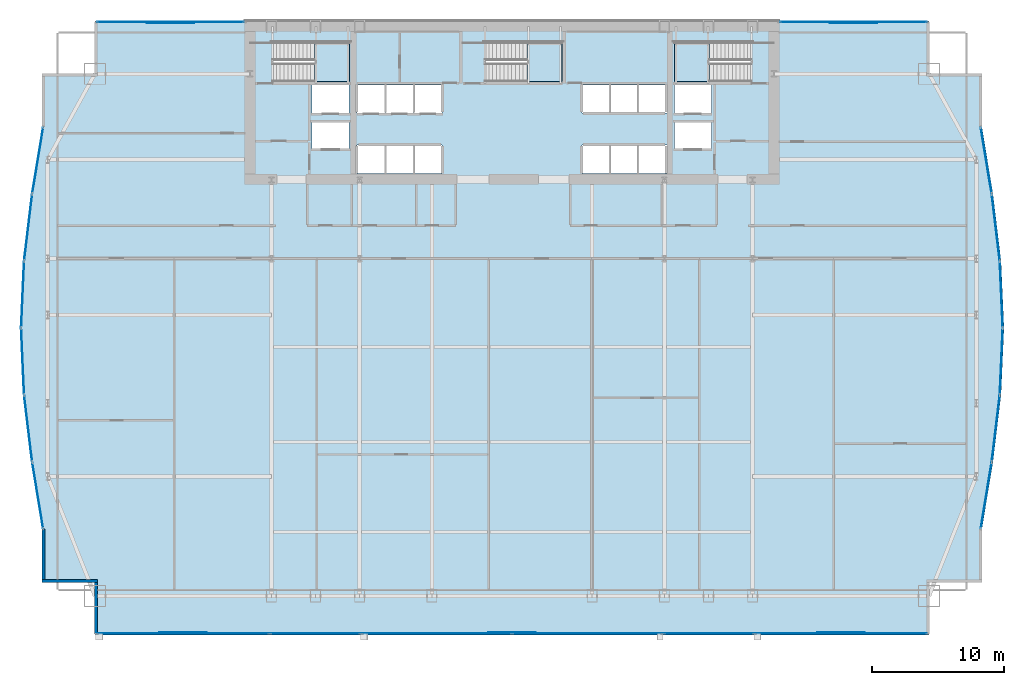
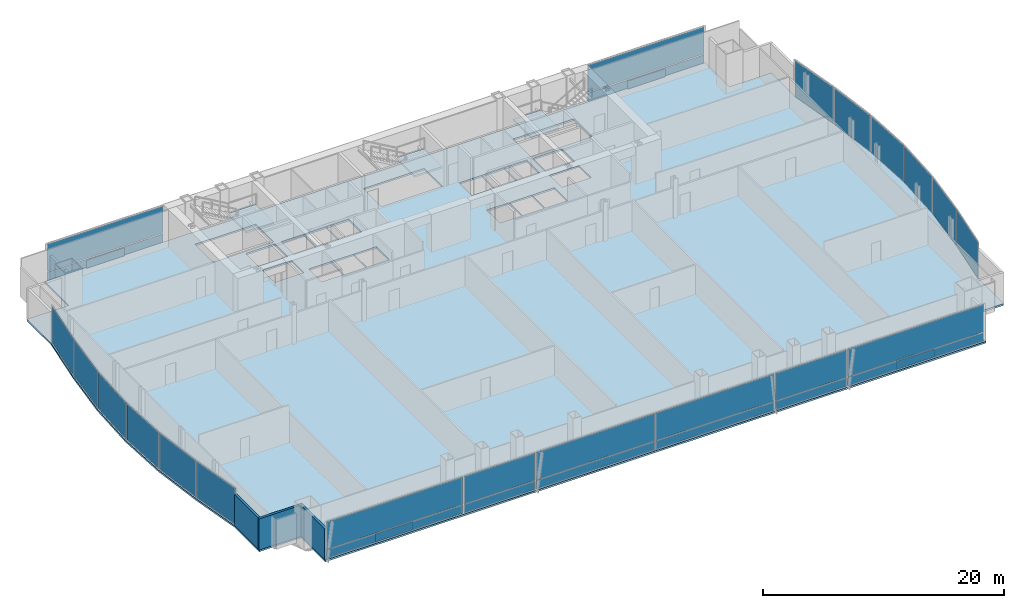
# One storey, part 25 of 32: 33 plates, 4 slabs, 3 walls, 22 elements without a shape of their own.
"""IFC4 building model written with IfcOpenShell, lengths in metres."""

from ifc_helpers import new_model, si_unit, direction, frame, frame_2d, origin, origin_2d, place, context, subcontext, project, spatial, polyline, rectangle, outline, extrude, material, layer, layer_set, type_object, element, aggregate, save


model = new_model("IFC4")

# Units and contexts
model_context = context("Model", 3, precision=1e-05, world=origin(), true_north=direction((0.0, 1.0)))
body_context = subcontext(model_context, "Body", "Model", "MODEL_VIEW")
ifc_project = project(units=[si_unit("LENGTHUNIT", "METRE"), si_unit("AREAUNIT", "SQUARE_METRE"), si_unit("VOLUMEUNIT", "CUBIC_METRE"), si_unit("PLANEANGLEUNIT", "RADIAN"), si_unit("MASSUNIT", "GRAM", prefix="KILO")], contexts=[model_context])

# Site, building, storey
site_placement = place(None, origin())
site = spatial("IfcSite", under=ifc_project, at=site_placement, CompositionType="ELEMENT")
building_placement = place(site_placement, origin())
building = spatial("IfcBuilding", under=site, at=building_placement, Name="Khoronbel Lancet Exchange", CompositionType="ELEMENT")
storey_placement = place(building_placement, frame((0.0, 0.0, 65.800048828125)))
storey = spatial("IfcBuildingStorey", under=building, at=storey_placement, Name="L15", CompositionType="ELEMENT", Elevation=65.800048828125)

# Curtain wall, plate
ifc_material_1 = material(Name="Low-E Solar Control Insulating Glass", Category="glass")
curtain_wall_type_1 = type_object("IfcCurtainWallType", Name="CW-4", PredefinedType="NOTDEFINED", material=ifc_material_1)
curtain_wall_1_placement = place(storey_placement, origin())
curtain_wall_1 = element("IfcCurtainWall", 1, at=curtain_wall_1_placement, inside=storey, type_object=curtain_wall_type_1, Name="Unitised curtain wall CW-L15-E05", PredefinedType="NOTDEFINED")
ifc_material_2 = material(Name="Bronze-Anodised Aluminium 6063-T6", Category="aluminium")
ifc_layer_1 = layer(ifc_material_2, 0.050048828125, Name="Bronze-Anodised Aluminium 6063-T6")
ifc_layer_set_1 = layer_set([ifc_layer_1], Name="Bronze-Anodised Aluminium 6063-T6")
plate_type_1 = type_object("IfcPlateType", Name="PLT-CSP1", PredefinedType="SHEET", material=ifc_layer_set_1)
plate_1_placement = place(storey_placement, frame((-0.205322265625, 22.8349609375, 0.0849609375), z_axis=(0.0, 0.0, 1.0), x_axis=(-0.119805873895, 0.992797337114, 0.0)))
plate_1 = element("IfcPlate", 2, at=plate_1_placement, type_object=plate_type_1, Name="CW4 panel 1.1", PredefinedType="CURTAIN_PANEL", context=body_context, shape_type="SweptSolid", body=[
    extrude(rectangle(XDim=4.96484375, YDim=0.0380859375, at=origin_2d()), origin(), (0.0, 0.0, 1.0), 3.64990234375),
])
aggregate(curtain_wall_1, [plate_1])

curtain_wall_2_placement = place(storey_placement, origin())
curtain_wall_2 = element("IfcCurtainWall", 3, at=curtain_wall_2_placement, inside=storey, type_object=curtain_wall_type_1, Name="Unitised curtain wall CW-L15-E06", PredefinedType="NOTDEFINED")
plate_2_placement = place(storey_placement, frame((-0.623779296875, 27.912109375, 0.0849609375), z_axis=(0.0, 0.0, 1.0), x_axis=(-0.044126483681, 0.999025952335, 0.0)))
plate_2 = element("IfcPlate", 4, at=plate_2_placement, type_object=plate_type_1, Name="CW4 panel 1.1", PredefinedType="CURTAIN_PANEL", context=body_context, shape_type="SweptSolid", body=[
    extrude(rectangle(XDim=4.930908203125, YDim=0.0380859375, at=origin_2d()), origin(), (0.0, 0.0, 1.0), 3.64990234375),
])
aggregate(curtain_wall_2, [plate_2])

curtain_wall_3_placement = place(storey_placement, origin())
curtain_wall_3 = element("IfcCurtainWall", 5, at=curtain_wall_3_placement, inside=storey, type_object=curtain_wall_type_1, Name="Unitised curtain wall CW-L15-E07", PredefinedType="NOTDEFINED")
plate_3_placement = place(storey_placement, frame((-0.623779296875, 32.988037109375, 0.0849609375), z_axis=(0.0, 0.0, 1.0), x_axis=(0.044126483681, 0.999025952335, 0.0)))
plate_3 = element("IfcPlate", 6, at=plate_3_placement, type_object=plate_type_1, Name="CW4 panel 1.1", PredefinedType="CURTAIN_PANEL", context=body_context, shape_type="SweptSolid", body=[
    extrude(rectangle(XDim=4.930908203125, YDim=0.0380859375, at=origin_2d()), origin(), (0.0, 0.0, 1.0), 3.64990234375),
])
aggregate(curtain_wall_3, [plate_3])

curtain_wall_4_placement = place(storey_placement, origin())
curtain_wall_4 = element("IfcCurtainWall", 7, at=curtain_wall_4_placement, inside=storey, type_object=curtain_wall_type_1, Name="Unitised curtain wall CW-L15-E08", PredefinedType="NOTDEFINED")
plate_4_placement = place(storey_placement, frame((-0.205322265625, 38.06494140625, 0.0849609375), z_axis=(0.0, 0.0, 1.0), x_axis=(0.119805873895, 0.992797337114, 0.0)))
plate_4 = element("IfcPlate", 8, at=plate_4_placement, type_object=plate_type_1, Name="CW4 panel 1.1", PredefinedType="CURTAIN_PANEL", context=body_context, shape_type="SweptSolid", body=[
    extrude(rectangle(XDim=4.96484375, YDim=0.0380859375, at=origin_2d()), origin(), (0.0, 0.0, 1.0), 3.64990234375),
])
aggregate(curtain_wall_4, [plate_4])

curtain_wall_type_2 = type_object("IfcCurtainWallType", Name="CW-1", PredefinedType="NOTDEFINED", material=ifc_material_1)
curtain_wall_5_placement = place(storey_placement, origin())
curtain_wall_5 = element("IfcCurtainWall", 9, at=curtain_wall_5_placement, inside=storey, type_object=curtain_wall_type_2, Name="Unitised curtain wall CW-L15-NWFLK", PredefinedType="NOTDEFINED")
plate_5_placement = place(storey_placement, frame((10.580078125, 53.550048828125, 0.0498046875), z_axis=(0.0, 0.0, 1.0), x_axis=(-1.0, 0.0, 0.0)))
plate_5 = element("IfcPlate", 10, at=plate_5_placement, type_object=plate_type_1, Name="Insulated bronze spandrel cassette CW-L15-NWFLK", PredefinedType="SHEET", context=body_context, shape_type="SweptSolid", body=[
    extrude(rectangle(XDim=3.60009765625, YDim=0.050048828125, at=origin_2d()), origin(), (0.0, 0.0, 1.0), 0.800048828125),
])

curtain_wall_6_placement = place(storey_placement, origin())
curtain_wall_6 = element("IfcCurtainWall", 11, at=curtain_wall_6_placement, inside=storey, type_object=curtain_wall_type_2, Name="Unitised curtain wall CW-L15-NEFLK", PredefinedType="NOTDEFINED")
plate_6_placement = place(storey_placement, frame((62.320068359375, 53.550048828125, 0.0498046875), z_axis=(0.0, 0.0, 1.0), x_axis=(-1.0, 0.0, 0.0)))
plate_6 = element("IfcPlate", 12, at=plate_6_placement, type_object=plate_type_1, Name="Insulated bronze spandrel cassette CW-L15-NEFLK", PredefinedType="SHEET", context=body_context, shape_type="SweptSolid", body=[
    extrude(rectangle(XDim=3.60009765625, YDim=0.050048828125, at=origin_2d()), origin(), (0.0, 0.0, 1.0), 0.800048828125),
])

curtain_wall_7_placement = place(storey_placement, origin())
curtain_wall_7 = element("IfcCurtainWall", 13, at=curtain_wall_7_placement, inside=storey, type_object=curtain_wall_type_1, Name="Unitised curtain wall CW-L15-E18", PredefinedType="NOTDEFINED")
plate_7_placement = place(storey_placement, frame((73.105224609375, 38.06494140625, 0.0849609375), z_axis=(0.0, 0.0, 1.0), x_axis=(0.119805873895, -0.992797337114, 0.0)))
plate_7 = element("IfcPlate", 14, at=plate_7_placement, type_object=plate_type_1, Name="CW4 panel 1.1", PredefinedType="CURTAIN_PANEL", context=body_context, shape_type="SweptSolid", body=[
    extrude(rectangle(XDim=4.96484375, YDim=0.0380859375, at=origin_2d()), origin(), (0.0, 0.0, 1.0), 3.64990234375),
])
aggregate(curtain_wall_7, [plate_7])

curtain_wall_8_placement = place(storey_placement, origin())
curtain_wall_8 = element("IfcCurtainWall", 15, at=curtain_wall_8_placement, inside=storey, type_object=curtain_wall_type_1, Name="Unitised curtain wall CW-L15-E19", PredefinedType="NOTDEFINED")
plate_8_placement = place(storey_placement, frame((73.523681640625, 32.988037109375, 0.0849609375), z_axis=(0.0, 0.0, 1.0), x_axis=(0.044126483681, -0.999025952335, 0.0)))
plate_8 = element("IfcPlate", 16, at=plate_8_placement, type_object=plate_type_1, Name="CW4 panel 1.1", PredefinedType="CURTAIN_PANEL", context=body_context, shape_type="SweptSolid", body=[
    extrude(rectangle(XDim=4.930908203125, YDim=0.0380859375, at=origin_2d()), origin(), (0.0, 0.0, 1.0), 3.64990234375),
])
aggregate(curtain_wall_8, [plate_8])

curtain_wall_9_placement = place(storey_placement, origin())
curtain_wall_9 = element("IfcCurtainWall", 17, at=curtain_wall_9_placement, inside=storey, type_object=curtain_wall_type_1, Name="Unitised curtain wall CW-L15-E20", PredefinedType="NOTDEFINED")
plate_9_placement = place(storey_placement, frame((73.523681640625, 27.912109375, 0.0849609375), z_axis=(0.0, 0.0, 1.0), x_axis=(-0.044126483681, -0.999025952335, 0.0)))
plate_9 = element("IfcPlate", 18, at=plate_9_placement, type_object=plate_type_1, Name="CW4 panel 1.1", PredefinedType="CURTAIN_PANEL", context=body_context, shape_type="SweptSolid", body=[
    extrude(rectangle(XDim=4.930908203125, YDim=0.0380859375, at=origin_2d()), origin(), (0.0, 0.0, 1.0), 3.64990234375),
])
aggregate(curtain_wall_9, [plate_9])

curtain_wall_10_placement = place(storey_placement, origin())
curtain_wall_10 = element("IfcCurtainWall", 19, at=curtain_wall_10_placement, inside=storey, type_object=curtain_wall_type_1, Name="Unitised curtain wall CW-L15-E21", PredefinedType="NOTDEFINED")
plate_10_placement = place(storey_placement, frame((73.105224609375, 22.8349609375, 0.0849609375), z_axis=(0.0, 0.0, 1.0), x_axis=(-0.119805873895, -0.992797337114, 0.0)))
plate_10 = element("IfcPlate", 20, at=plate_10_placement, type_object=plate_type_1, Name="CW4 panel 1.1", PredefinedType="CURTAIN_PANEL", context=body_context, shape_type="SweptSolid", body=[
    extrude(rectangle(XDim=4.96484375, YDim=0.0380859375, at=origin_2d()), origin(), (0.0, 0.0, 1.0), 3.64990234375),
])
aggregate(curtain_wall_10, [plate_10])

curtain_wall_11_placement = place(storey_placement, origin())
curtain_wall_11 = element("IfcCurtainWall", 21, at=curtain_wall_11_placement, inside=storey, type_object=curtain_wall_type_2, Name="Unitised curtain wall CW-L15-SWV", PredefinedType="NOTDEFINED")
plate_11_placement = place(storey_placement, frame((11.52001953125, 7.35009765625, 0.0498046875), z_axis=(0.0, 0.0, 1.0), x_axis=(1.0, 0.0, 0.0)))
plate_11 = element("IfcPlate", 22, at=plate_11_placement, type_object=plate_type_1, Name="Insulated bronze spandrel cassette CW-L15-SWV", PredefinedType="SHEET", context=body_context, shape_type="SweptSolid", body=[
    extrude(rectangle(XDim=3.60009765625, YDim=0.050048828125, at=origin_2d()), origin(), (0.0, 0.0, 1.0), 0.800048828125),
])

# Curtain wall, plates
curtain_wall_12_placement = place(storey_placement, origin())
curtain_wall_12 = element("IfcCurtainWall", 23, at=curtain_wall_12_placement, inside=storey, type_object=curtain_wall_type_2, Name="Unitised curtain wall CW-L15-SWB", PredefinedType="NOTDEFINED")
plate_12_placement = place(storey_placement, frame((21.550048828125, 7.2900390625, 0.0849609375), z_axis=(0.0, 0.0, 1.0), x_axis=(1.0, 0.0, 0.0)))
plate_12 = element("IfcPlate", 24, at=plate_12_placement, type_object=plate_type_1, Name="CW1 panel 1.1", PredefinedType="CURTAIN_PANEL", context=body_context, shape_type="SweptSolid", body=[
    extrude(rectangle(XDim=6.72998046875, YDim=0.0380859375, at=origin_2d()), origin(), (0.0, 0.0, 1.0), 0.822509765625),
])
plate_13_placement = place(storey_placement, frame((21.550048828125, 7.2900390625, 0.99267578125), z_axis=(0.0, 0.0, 1.0), x_axis=(1.0, 0.0, 0.0)))
plate_13 = element("IfcPlate", 25, at=plate_13_placement, type_object=plate_type_1, Name="CW1 panel 1.2", PredefinedType="CURTAIN_PANEL", context=body_context, shape_type="SweptSolid", body=[
    extrude(rectangle(XDim=6.72998046875, YDim=0.0380859375, at=origin_2d()), origin(), (0.0, 0.0, 1.0), 2.742431640625),
])
aggregate(curtain_wall_12, [plate_12, plate_13])

# Curtain wall, plate
curtain_wall_13_placement = place(storey_placement, origin())
curtain_wall_13 = element("IfcCurtainWall", 26, at=curtain_wall_13_placement, inside=storey, type_object=curtain_wall_type_2, Name="Unitised curtain wall CW-L15-SCV", PredefinedType="NOTDEFINED")
plate_14_placement = place(storey_placement, frame((36.449951171875, 7.35009765625, 0.0498046875), z_axis=(0.0, 0.0, 1.0), x_axis=(1.0, 0.0, 0.0)))
plate_14 = element("IfcPlate", 27, at=plate_14_placement, type_object=plate_type_1, Name="Insulated bronze spandrel cassette CW-L15-SCV", PredefinedType="SHEET", context=body_context, shape_type="SweptSolid", body=[
    extrude(rectangle(XDim=3.60009765625, YDim=0.050048828125, at=origin_2d()), origin(), (0.0, 0.0, 1.0), 0.800048828125),
])

# Curtain wall, plates
curtain_wall_14_placement = place(storey_placement, origin())
curtain_wall_14 = element("IfcCurtainWall", 28, at=curtain_wall_14_placement, inside=storey, type_object=curtain_wall_type_2, Name="Unitised curtain wall CW-L15-SEB", PredefinedType="NOTDEFINED")
plate_15_placement = place(storey_placement, frame((51.35009765625, 7.2900390625, 0.0849609375), z_axis=(0.0, 0.0, 1.0), x_axis=(1.0, 0.0, 0.0)))
plate_15 = element("IfcPlate", 29, at=plate_15_placement, type_object=plate_type_1, Name="CW1 panel 1.1", PredefinedType="CURTAIN_PANEL", context=body_context, shape_type="SweptSolid", body=[
    extrude(rectangle(XDim=6.72998046875, YDim=0.0380859375, at=origin_2d()), origin(), (0.0, 0.0, 1.0), 0.822509765625),
])
plate_16_placement = place(storey_placement, frame((51.35009765625, 7.2900390625, 0.99267578125), z_axis=(0.0, 0.0, 1.0), x_axis=(1.0, 0.0, 0.0)))
plate_16 = element("IfcPlate", 30, at=plate_16_placement, type_object=plate_type_1, Name="CW1 panel 1.2", PredefinedType="CURTAIN_PANEL", context=body_context, shape_type="SweptSolid", body=[
    extrude(rectangle(XDim=6.72998046875, YDim=0.0380859375, at=origin_2d()), origin(), (0.0, 0.0, 1.0), 2.742431640625),
])
aggregate(curtain_wall_14, [plate_15, plate_16])

# Curtain wall, plate
curtain_wall_15_placement = place(storey_placement, origin())
curtain_wall_15 = element("IfcCurtainWall", 31, at=curtain_wall_15_placement, inside=storey, type_object=curtain_wall_type_2, Name="Unitised curtain wall CW-L15-SEV", PredefinedType="NOTDEFINED")
plate_17_placement = place(storey_placement, frame((61.3798828125, 7.35009765625, 0.0498046875), z_axis=(0.0, 0.0, 1.0), x_axis=(1.0, 0.0, 0.0)))
plate_17 = element("IfcPlate", 32, at=plate_17_placement, type_object=plate_type_1, Name="Insulated bronze spandrel cassette CW-L15-SEV", PredefinedType="SHEET", context=body_context, shape_type="SweptSolid", body=[
    extrude(rectangle(XDim=3.60009765625, YDim=0.050048828125, at=origin_2d()), origin(), (0.0, 0.0, 1.0), 0.800048828125),
])

# Plate
ifc_layer_2 = layer(ifc_material_1, 0.035888671875, Name="Low-E Solar Control Insulating Glass")
ifc_layer_set_2 = layer_set([ifc_layer_2], Name="Low-E Solar Control Insulating Glass")
plate_type_2 = type_object("IfcPlateType", Name="PLT-CWP1", PredefinedType="CURTAIN_PANEL", material=ifc_layer_set_2)
plate_18_placement = place(storey_placement, frame((10.580078125, 53.610107421875, 0.0849609375), z_axis=(0.0, 0.0, 1.0), x_axis=(-1.0, 0.0, 0.0)))
plate_18 = element("IfcPlate", 33, at=plate_18_placement, type_object=plate_type_2, Name="CW1 panel 1.1", PredefinedType="CURTAIN_PANEL", context=body_context, shape_type="SweptSolid", body=[
    extrude(rectangle(XDim=11.110107421875, YDim=0.0380859375, at=origin_2d()), origin(), (0.0, 0.0, 1.0), 0.822509765625),
])

plate_19_placement = place(storey_placement, frame((10.580078125, 53.610107421875, 0.99267578125), z_axis=(0.0, 0.0, 1.0), x_axis=(-1.0, 0.0, 0.0)))
plate_19 = element("IfcPlate", 34, at=plate_19_placement, type_object=plate_type_2, Name="CW1 panel 1.2", PredefinedType="CURTAIN_PANEL", context=body_context, shape_type="SweptSolid", body=[
    extrude(rectangle(XDim=11.110107421875, YDim=0.0380859375, at=origin_2d()), origin(), (0.0, 0.0, 1.0), 2.742431640625),
])

aggregate(curtain_wall_5, [plate_18, plate_19, plate_5])

plate_20_placement = place(storey_placement, frame((62.320068359375, 53.610107421875, 0.0849609375), z_axis=(0.0, 0.0, 1.0), x_axis=(-1.0, 0.0, 0.0)))
plate_20 = element("IfcPlate", 35, at=plate_20_placement, type_object=plate_type_2, Name="CW1 panel 1.1", PredefinedType="CURTAIN_PANEL", context=body_context, shape_type="SweptSolid", body=[
    extrude(rectangle(XDim=11.110107421875, YDim=0.0380859375, at=origin_2d()), origin(), (0.0, 0.0, 1.0), 0.822509765625),
])

plate_21_placement = place(storey_placement, frame((62.320068359375, 53.610107421875, 0.99267578125), z_axis=(0.0, 0.0, 1.0), x_axis=(-1.0, 0.0, 0.0)))
plate_21 = element("IfcPlate", 36, at=plate_21_placement, type_object=plate_type_2, Name="CW1 panel 1.2", PredefinedType="CURTAIN_PANEL", context=body_context, shape_type="SweptSolid", body=[
    extrude(rectangle(XDim=11.110107421875, YDim=0.0380859375, at=origin_2d()), origin(), (0.0, 0.0, 1.0), 2.742431640625),
])

aggregate(curtain_wall_6, [plate_20, plate_21, plate_6])

plate_22_placement = place(storey_placement, frame((11.52001953125, 7.2900390625, 0.0849609375), z_axis=(0.0, 0.0, 1.0), x_axis=(1.0, 0.0, 0.0)))
plate_22 = element("IfcPlate", 37, at=plate_22_placement, type_object=plate_type_2, Name="CW1 panel 1.1", PredefinedType="CURTAIN_PANEL", context=body_context, shape_type="SweptSolid", body=[
    extrude(rectangle(XDim=12.989990234375, YDim=0.0380859375, at=origin_2d()), origin(), (0.0, 0.0, 1.0), 0.822509765625),
])

plate_23_placement = place(storey_placement, frame((11.52001953125, 7.2900390625, 0.99267578125), z_axis=(0.0, 0.0, 1.0), x_axis=(1.0, 0.0, 0.0)))
plate_23 = element("IfcPlate", 38, at=plate_23_placement, type_object=plate_type_2, Name="CW1 panel 1.2", PredefinedType="CURTAIN_PANEL", context=body_context, shape_type="SweptSolid", body=[
    extrude(rectangle(XDim=12.989990234375, YDim=0.0380859375, at=origin_2d()), origin(), (0.0, 0.0, 1.0), 2.742431640625),
])

aggregate(curtain_wall_11, [plate_22, plate_23, plate_11])

plate_24_placement = place(storey_placement, frame((30.746337890625, 7.2900390625, 0.0849609375), z_axis=(0.0, 0.0, 1.0), x_axis=(1.0, 0.0, 0.0)))
plate_24 = element("IfcPlate", 39, at=plate_24_placement, type_object=plate_type_2, Name="CW1 panel 1.1", PredefinedType="CURTAIN_PANEL", context=body_context, shape_type="SweptSolid", body=[
    extrude(rectangle(XDim=11.322509765625, YDim=0.0380859375, at=origin_2d()), origin(), (0.0, 0.0, 1.0), 0.822509765625),
])

plate_25_placement = place(storey_placement, frame((30.746337890625, 7.2900390625, 0.99267578125), z_axis=(0.0, 0.0, 1.0), x_axis=(1.0, 0.0, 0.0)))
plate_25 = element("IfcPlate", 40, at=plate_25_placement, type_object=plate_type_2, Name="CW1 panel 1.2", PredefinedType="CURTAIN_PANEL", context=body_context, shape_type="SweptSolid", body=[
    extrude(rectangle(XDim=11.322509765625, YDim=0.0380859375, at=origin_2d()), origin(), (0.0, 0.0, 1.0), 2.742431640625),
])

plate_26_placement = place(storey_placement, frame((42.15380859375, 7.2900390625, 0.0849609375), z_axis=(0.0, 0.0, 1.0), x_axis=(1.0, 0.0, 0.0)))
plate_26 = element("IfcPlate", 41, at=plate_26_placement, type_object=plate_type_2, Name="CW1 panel 2.1", PredefinedType="CURTAIN_PANEL", context=body_context, shape_type="SweptSolid", body=[
    extrude(rectangle(XDim=11.322509765625, YDim=0.0380859375, at=origin_2d()), origin(), (0.0, 0.0, 1.0), 0.822509765625),
])

plate_27_placement = place(storey_placement, frame((42.15380859375, 7.2900390625, 0.99267578125), z_axis=(0.0, 0.0, 1.0), x_axis=(1.0, 0.0, 0.0)))
plate_27 = element("IfcPlate", 42, at=plate_27_placement, type_object=plate_type_2, Name="CW1 panel 2.2", PredefinedType="CURTAIN_PANEL", context=body_context, shape_type="SweptSolid", body=[
    extrude(rectangle(XDim=11.322509765625, YDim=0.0380859375, at=origin_2d()), origin(), (0.0, 0.0, 1.0), 2.742431640625),
])

aggregate(curtain_wall_13, [plate_24, plate_25, plate_26, plate_27, plate_14])

plate_28_placement = place(storey_placement, frame((61.3798828125, 7.2900390625, 0.0849609375), z_axis=(0.0, 0.0, 1.0), x_axis=(1.0, 0.0, 0.0)))
plate_28 = element("IfcPlate", 43, at=plate_28_placement, type_object=plate_type_2, Name="CW1 panel 1.1", PredefinedType="CURTAIN_PANEL", context=body_context, shape_type="SweptSolid", body=[
    extrude(rectangle(XDim=12.989990234375, YDim=0.0380859375, at=origin_2d()), origin(), (0.0, 0.0, 1.0), 0.822509765625),
])

plate_29_placement = place(storey_placement, frame((61.3798828125, 7.2900390625, 0.99267578125), z_axis=(0.0, 0.0, 1.0), x_axis=(1.0, 0.0, 0.0)))
plate_29 = element("IfcPlate", 44, at=plate_29_placement, type_object=plate_type_2, Name="CW1 panel 1.2", PredefinedType="CURTAIN_PANEL", context=body_context, shape_type="SweptSolid", body=[
    extrude(rectangle(XDim=12.989990234375, YDim=0.0380859375, at=origin_2d()), origin(), (0.0, 0.0, 1.0), 2.742431640625),
])

aggregate(curtain_wall_15, [plate_28, plate_29, plate_17])

# Curtain wall, plate
curtain_wall_16_placement = place(storey_placement, origin())
curtain_wall_16 = element("IfcCurtainWall", 45, at=curtain_wall_16_placement, inside=storey, type_object=curtain_wall_type_1, Name="Unitised curtain wall CW-L15-E04", PredefinedType="NOTDEFINED")
ifc_material_3 = material(Name="Ceramic-Fritted Laminated Insulating Glass", Category="glass")
ifc_layer_3 = layer(ifc_material_3, 0.0419921875, Name="Ceramic-Fritted Laminated Insulating Glass")
ifc_layer_set_3 = layer_set([ifc_layer_3], Name="Ceramic-Fritted Laminated Insulating Glass")
plate_type_3 = type_object("IfcPlateType", Name="PLT-CWP2", PredefinedType="CURTAIN_PANEL", material=ifc_layer_set_3)
plate_30_placement = place(storey_placement, frame((0.5205078125, 17.751708984375, 0.0849609375), z_axis=(0.0, 0.0, 1.0), x_axis=(-0.162663062008, 0.986681675242, 0.0)))
plate_30 = element("IfcPlate", 46, at=plate_30_placement, type_object=plate_type_3, Name="CW4 panel 1.1", PredefinedType="CURTAIN_PANEL", context=body_context, shape_type="SweptSolid", body=[
    extrude(rectangle(XDim=5.00732421875, YDim=0.0380859375, at=origin_2d()), origin(), (0.0, 0.0, 1.0), 3.64990234375),
])
aggregate(curtain_wall_16, [plate_30])

curtain_wall_17_placement = place(storey_placement, origin())
curtain_wall_17 = element("IfcCurtainWall", 47, at=curtain_wall_17_placement, inside=storey, type_object=curtain_wall_type_1, Name="Unitised curtain wall CW-L15-E09", PredefinedType="NOTDEFINED")
plate_31_placement = place(storey_placement, frame((0.5205078125, 43.148193359375, 0.0849609375), z_axis=(0.0, 0.0, 1.0), x_axis=(0.162663062008, 0.986681675242, 0.0)))
plate_31 = element("IfcPlate", 48, at=plate_31_placement, type_object=plate_type_3, Name="CW4 panel 1.1", PredefinedType="CURTAIN_PANEL", context=body_context, shape_type="SweptSolid", body=[
    extrude(rectangle(XDim=5.00732421875, YDim=0.0380859375, at=origin_2d()), origin(), (0.0, 0.0, 1.0), 3.64990234375),
])
aggregate(curtain_wall_17, [plate_31])

curtain_wall_18_placement = place(storey_placement, origin())
curtain_wall_18 = element("IfcCurtainWall", 49, at=curtain_wall_18_placement, inside=storey, type_object=curtain_wall_type_1, Name="Unitised curtain wall CW-L15-E17", PredefinedType="NOTDEFINED")
plate_32_placement = place(storey_placement, frame((72.37939453125, 43.148193359375, 0.0849609375), z_axis=(0.0, 0.0, 1.0), x_axis=(0.162663062008, -0.986681675242, 0.0)))
plate_32 = element("IfcPlate", 50, at=plate_32_placement, type_object=plate_type_3, Name="CW4 panel 1.1", PredefinedType="CURTAIN_PANEL", context=body_context, shape_type="SweptSolid", body=[
    extrude(rectangle(XDim=5.00732421875, YDim=0.0380859375, at=origin_2d()), origin(), (0.0, 0.0, 1.0), 3.64990234375),
])
aggregate(curtain_wall_18, [plate_32])

curtain_wall_19_placement = place(storey_placement, origin())
curtain_wall_19 = element("IfcCurtainWall", 51, at=curtain_wall_19_placement, inside=storey, type_object=curtain_wall_type_1, Name="Unitised curtain wall CW-L15-E22", PredefinedType="NOTDEFINED")
plate_33_placement = place(storey_placement, frame((72.37939453125, 17.751708984375, 0.0849609375), z_axis=(0.0, 0.0, 1.0), x_axis=(-0.162663062008, -0.986681675242, 0.0)))
plate_33 = element("IfcPlate", 52, at=plate_33_placement, type_object=plate_type_3, Name="CW4 panel 1.1", PredefinedType="CURTAIN_PANEL", context=body_context, shape_type="SweptSolid", body=[
    extrude(rectangle(XDim=5.00732421875, YDim=0.0380859375, at=origin_2d()), origin(), (0.0, 0.0, 1.0), 3.64990234375),
])
aggregate(curtain_wall_19, [plate_33])

# Slab
ifc_material_4 = material(Name="Concrete C40/50", Category="concrete")
ifc_layer_4 = layer(ifc_material_4, 0.179931640625, Name="Concrete C40/50")
ifc_layer_set_4 = layer_set([ifc_layer_4], Name="Concrete C40/50")
slab_type_1 = type_object("IfcSlabType", Name="SL-FL180", PredefinedType="FLOOR", material=ifc_layer_set_4)
slab_1_placement = place(storey_placement, frame((0.0, 0.0, -0.179931640625)))
element("IfcSlab", 53, at=slab_1_placement, inside=storey, type_object=slab_type_1, Name="Level L15 composite structural floor slab", PredefinedType="FLOOR", context=body_context, shape_type="SweptSolid", body=[
    extrude(outline(polyline([(4.85009765625, 7.199951171875), (68.050048828125, 7.199951171875), (68.050048828125, 11.199951171875), (72.050048828125, 11.199951171875), (72.050048828125, 15.199951171875), (72.887939453125, 20.283203125), (73.50146484375, 25.36669921875), (73.72607421875, 30.449951171875), (73.50146484375, 35.533203125), (72.887939453125, 40.61669921875), (72.050048828125, 45.699951171875), (72.050048828125, 49.699951171875), (68.050048828125, 49.699951171875), (68.050048828125, 53.699951171875), (4.85009765625, 53.699951171875), (4.85009765625, 49.699951171875), (0.85009765625, 49.699951171875), (0.85009765625, 45.699951171875), (0.011962890625, 40.61669921875), (-0.6015625, 35.533203125), (-0.825927734375, 30.449951171875), (-0.6015625, 25.36669921875), (0.011962890625, 20.283203125), (0.85009765625, 15.199951171875), (0.85009765625, 11.199951171875), (4.85009765625, 11.199951171875), (4.85009765625, 7.199951171875)]), holes=[polyline([(18.324951171875, 49.1201171875), (24.14990234375, 49.1201171875), (24.14990234375, 52.10009765625), (18.324951171875, 52.10009765625), (18.324951171875, 49.1201171875)]), polyline([(48.75, 49.1201171875), (54.574951171875, 49.1201171875), (54.574951171875, 52.10009765625), (48.75, 52.10009765625), (48.75, 49.1201171875)]), polyline([(34.425048828125, 49.1201171875), (40.25, 49.1201171875), (40.25, 52.10009765625), (34.425048828125, 52.10009765625), (34.425048828125, 49.1201171875)]), polyline([(24.699951171875, 46.75), (26.840087890625, 46.75), (26.840087890625, 48.85009765625), (24.699951171875, 48.85009765625), (24.699951171875, 46.75)]), polyline([(26.860107421875, 46.75), (29.0, 46.75), (29.0, 48.85009765625), (26.860107421875, 48.85009765625), (26.860107421875, 46.75)]), polyline([(29.02001953125, 46.75), (31.159912109375, 46.75), (31.159912109375, 48.85009765625), (29.02001953125, 48.85009765625), (29.02001953125, 46.75)]), polyline([(24.699951171875, 42.14990234375), (26.840087890625, 42.14990234375), (26.840087890625, 44.300048828125), (24.699951171875, 44.300048828125), (24.699951171875, 42.14990234375)]), polyline([(26.860107421875, 42.14990234375), (29.0, 42.14990234375), (29.0, 44.300048828125), (26.860107421875, 44.300048828125), (26.860107421875, 42.14990234375)]), polyline([(29.02001953125, 42.14990234375), (31.159912109375, 42.14990234375), (31.159912109375, 44.300048828125), (29.02001953125, 44.300048828125), (29.02001953125, 42.14990234375)]), polyline([(41.739990234375, 46.75), (43.8798828125, 46.75), (43.8798828125, 48.85009765625), (41.739990234375, 48.85009765625), (41.739990234375, 46.75)]), polyline([(43.89990234375, 46.75), (46.0400390625, 46.75), (46.0400390625, 48.85009765625), (43.89990234375, 48.85009765625), (43.89990234375, 46.75)]), polyline([(46.06005859375, 46.75), (48.199951171875, 46.75), (48.199951171875, 48.85009765625), (46.06005859375, 48.85009765625), (46.06005859375, 46.75)]), polyline([(41.739990234375, 42.14990234375), (43.8798828125, 42.14990234375), (43.8798828125, 44.300048828125), (41.739990234375, 44.300048828125), (41.739990234375, 42.14990234375)]), polyline([(43.89990234375, 42.14990234375), (46.0400390625, 42.14990234375), (46.0400390625, 44.300048828125), (43.89990234375, 44.300048828125), (43.89990234375, 42.14990234375)]), polyline([(46.06005859375, 42.14990234375), (48.199951171875, 42.14990234375), (48.199951171875, 44.300048828125), (46.06005859375, 44.300048828125), (46.06005859375, 42.14990234375)]), polyline([(21.300048828125, 46.75), (24.10009765625, 46.75), (24.10009765625, 48.85009765625), (21.300048828125, 48.85009765625), (21.300048828125, 46.75)]), polyline([(48.75, 46.75), (51.550048828125, 46.75), (51.550048828125, 48.85009765625), (48.75, 48.85009765625), (48.75, 46.75)]), polyline([(21.300048828125, 44.050048828125), (24.10009765625, 44.050048828125), (24.10009765625, 46.050048828125), (21.300048828125, 46.050048828125), (21.300048828125, 44.050048828125)]), polyline([(48.75, 44.050048828125), (51.550048828125, 44.050048828125), (51.550048828125, 46.050048828125), (48.75, 46.050048828125), (48.75, 44.050048828125)])]), origin(), (0.0, 0.0, 1.0), 0.179931640625),
])

# Stair, slab
stair_type = type_object("IfcStairType", Name="STR-CORE150", PredefinedType="HALF_TURN_STAIR", material=ifc_material_4)
stair_1_placement = place(storey_placement, origin())
stair_1 = element("IfcStair", 54, at=stair_1_placement, inside=storey, type_object=stair_type, Name="L15 Protected Exit Stair ST1", PredefinedType="HALF_TURN_STAIR")
ifc_layer_5 = layer(ifc_material_4, 0.199951171875, Name="Concrete C40/50")
ifc_layer_set_5 = layer_set([ifc_layer_5], Name="Concrete C40/50")
slab_type_2 = type_object("IfcSlabType", Name="SL-LND180", PredefinedType="LANDING", material=ifc_layer_set_5)
slab_2_placement = place(storey_placement, frame((0.0, 0.0, 1.800048828125)))
slab_2 = element("IfcSlab", 55, at=slab_2_placement, type_object=slab_type_2, Name="ST1 landing 1", PredefinedType="LANDING", context=body_context, shape_type="SweptSolid", body=[
    extrude(outline(polyline([(21.489990234375, 49.1201171875), (24.14990234375, 49.1201171875), (24.14990234375, 52.10009765625), (21.489990234375, 52.10009765625), (21.489990234375, 49.1201171875)])), origin(), (0.0, 0.0, 1.0), 0.199951171875),
])
aggregate(stair_1, [slab_2])

stair_2_placement = place(storey_placement, origin())
stair_2 = element("IfcStair", 56, at=stair_2_placement, inside=storey, type_object=stair_type, Name="L15 Protected Exit Stair ST2", PredefinedType="HALF_TURN_STAIR")
slab_3_placement = place(storey_placement, frame((0.0, 0.0, 1.800048828125)))
slab_3 = element("IfcSlab", 57, at=slab_3_placement, type_object=slab_type_2, Name="ST2 landing 1", PredefinedType="LANDING", context=body_context, shape_type="SweptSolid", body=[
    extrude(outline(polyline([(51.409912109375, 52.10009765625), (48.75, 52.10009765625), (48.75, 49.1201171875), (51.409912109375, 49.1201171875), (51.409912109375, 52.10009765625)])), origin(), (0.0, 0.0, 1.0), 0.199951171875),
])
aggregate(stair_2, [slab_3])

stair_3_placement = place(storey_placement, origin())
stair_3 = element("IfcStair", 58, at=stair_3_placement, inside=storey, type_object=stair_type, Name="L15 Protected Exit Stair ST3", PredefinedType="HALF_TURN_STAIR")
slab_4_placement = place(storey_placement, frame((0.0, 0.0, 1.800048828125)))
slab_4 = element("IfcSlab", 59, at=slab_4_placement, type_object=slab_type_2, Name="ST3 landing 1", PredefinedType="LANDING", context=body_context, shape_type="SweptSolid", body=[
    extrude(outline(polyline([(37.590087890625, 49.1201171875), (40.25, 49.1201171875), (40.25, 52.10009765625), (37.590087890625, 52.10009765625), (37.590087890625, 49.1201171875)])), origin(), (0.0, 0.0, 1.0), 0.199951171875),
])
aggregate(stair_3, [slab_4])

# Walls
ifc_material_5 = material(Name="Precast concrete C40/50", Category="concrete")
ifc_layer_6 = layer(ifc_material_5, 0.25, Name="Precast concrete C40/50")
ifc_layer_set_6 = layer_set([ifc_layer_6], Name="Precast concrete C40/50")
wall_type = type_object("IfcWallType", Name="WL-EXT250", PredefinedType="SOLIDWALL", material=ifc_layer_set_6)
wall_1_placement = place(storey_placement, frame((4.93994140625, 7.27001953125, 0.0), z_axis=(0.0, 0.0, 1.0), x_axis=(0.0, 1.0, 0.0)))
element("IfcWall", 60, at=wall_1_placement, inside=storey, type_object=wall_type, Name="Level L15 notched-corner limestone pier 01", PredefinedType="SOLIDWALL", context=body_context, shape_type="SweptSolid", body=[
    extrude(rectangle(XDim=3.909912109375, YDim=0.219970703125, at=frame_2d((1.955078125, 0.0))), origin(), (0.0, 0.0, 1.0), 3.159912109375),
])
wall_2_placement = place(storey_placement, frame((5.050048828125, 11.2900390625, 0.0), z_axis=(0.0, 0.0, 1.0), x_axis=(-1.0, 0.0, 0.0)))
element("IfcWall", 61, at=wall_2_placement, inside=storey, type_object=wall_type, Name="Level L15 notched-corner limestone pier 02", PredefinedType="SOLIDWALL", context=body_context, shape_type="SweptSolid", body=[
    extrude(rectangle(XDim=4.219970703125, YDim=0.219970703125, at=frame_2d((2.10986328125, 0.0))), origin(), (0.0, 0.0, 1.0), 3.159912109375),
])
wall_3_placement = place(storey_placement, frame((0.93994140625, 11.39990234375, 0.0), z_axis=(0.0, 0.0, 1.0), x_axis=(0.0, 1.0, 0.0)))
element("IfcWall", 62, at=wall_3_placement, inside=storey, type_object=wall_type, Name="Level L15 notched-corner limestone pier 03", PredefinedType="SOLIDWALL", context=body_context, shape_type="SweptSolid", body=[
    extrude(rectangle(XDim=3.827392578125, YDim=0.219970703125, at=frame_2d((1.91357421875, 0.0))), origin(), (0.0, 0.0, 1.0), 3.159912109375),
])

save(model, "model.ifc")
